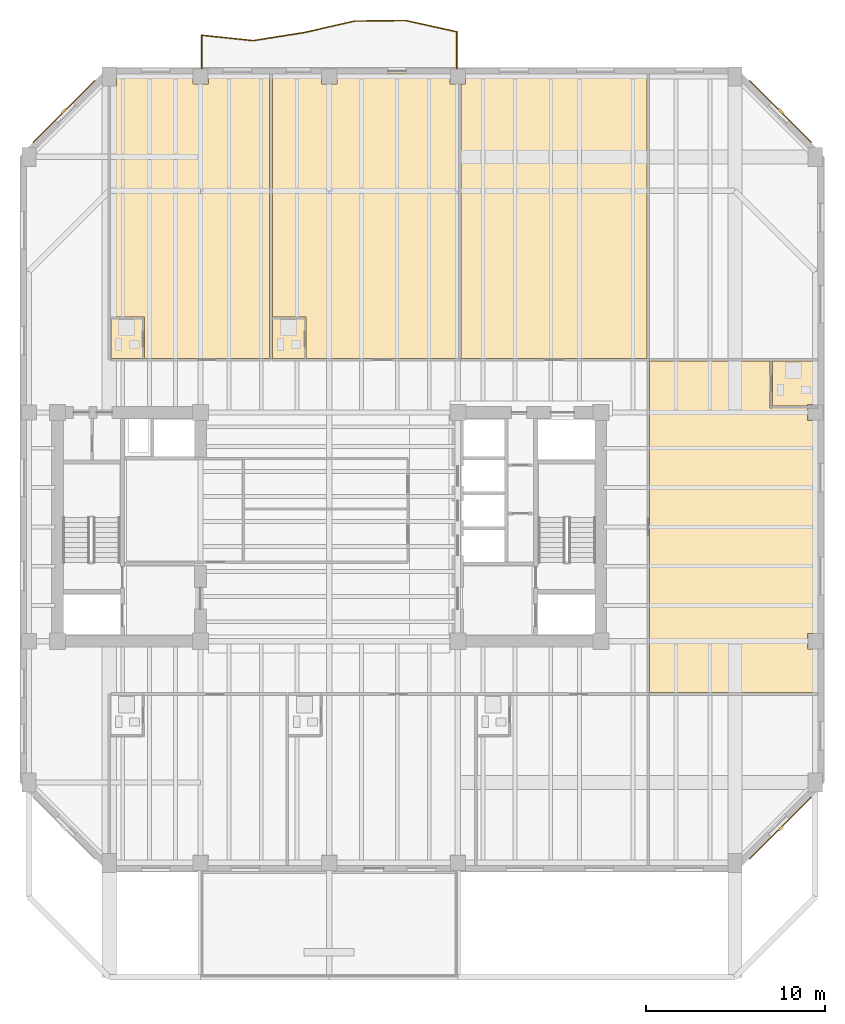
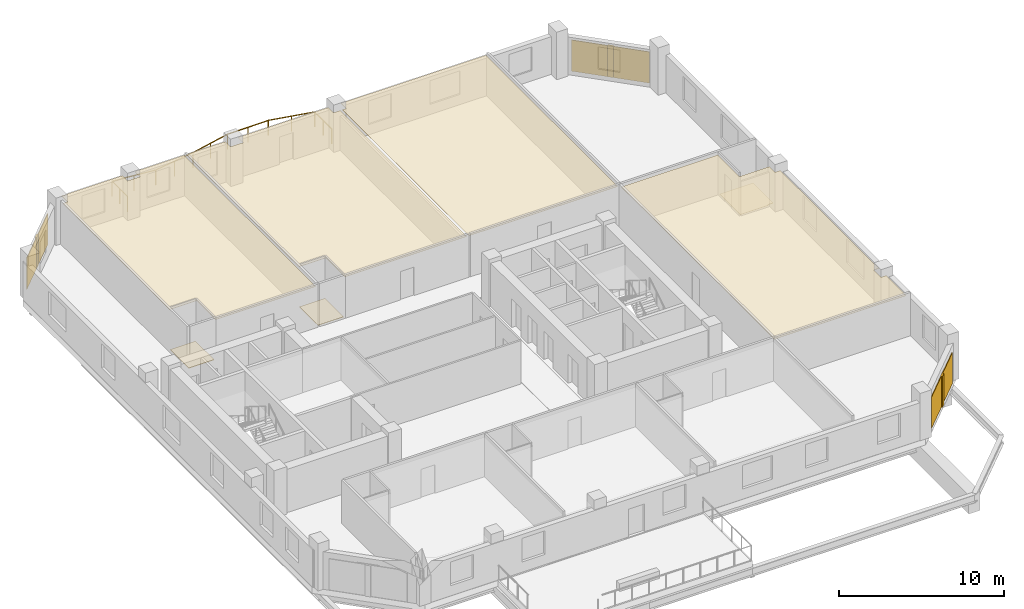
# One storey, part 9 of 10: 10 coverings, 3 shading devices, 1 railing.
"""IFC4 building model written with IfcOpenShell, lengths in metres."""

from ifc_helpers import new_model, si_unit, direction, frame, origin, origin_2d, place, context, subcontext, project, spatial, polyline, rectangle, circle, outline, extrude, material, layer, layer_set, type_object, element, save


model = new_model("IFC4")

# Units and contexts
model_context = context("Model", 3, precision=1e-05, world=origin(), true_north=direction((0.0, 1.0)))
body_context = subcontext(model_context, "Body", "Model", "MODEL_VIEW")
ifc_project = project(units=[si_unit("LENGTHUNIT", "METRE"), si_unit("AREAUNIT", "SQUARE_METRE"), si_unit("VOLUMEUNIT", "CUBIC_METRE"), si_unit("PLANEANGLEUNIT", "RADIAN"), si_unit("MASSUNIT", "GRAM", prefix="KILO")], contexts=[model_context])

# Site, building, storey
site_placement = place(None, origin())
site = spatial("IfcSite", under=ifc_project, at=site_placement, CompositionType="ELEMENT")
building_placement = place(site_placement, origin())
building = spatial("IfcBuilding", under=site, at=building_placement, Name="Kranthara Brick Stack", CompositionType="ELEMENT")
storey_placement = place(building_placement, frame((0.0, 0.0, 162.300048828125)))
storey = spatial("IfcBuildingStorey", under=building, at=storey_placement, Name="L41", CompositionType="ELEMENT", Elevation=162.300048828125)

# Coverings
ifc_material_1 = material(Name="Perforated mineral-fibre acoustic ceiling tile", Category="other")
ifc_layer_1 = layer(ifc_material_1, 0.02490234375)
ifc_layer_set_1 = layer_set([ifc_layer_1], Name="Perforated mineral-fibre acoustic ceiling tile")
covering_type_1 = type_object("IfcCoveringType", Name="COV-CEIL-ACOUSTIC", PredefinedType="CEILING", material=ifc_layer_set_1)
covering_1_placement = place(storey_placement, frame((0.0, 0.0, 2.929931640625)))
element("IfcCovering", 1, at=covering_1_placement, inside=storey, type_object=covering_type_1, Name="L41 Room L41-04 Corner Junior Suite Acoustic Ceiling", PredefinedType="CEILING", context=body_context, shape_type="SweptSolid", body=[
    extrude(outline(polyline([(24.6650390625, 36.6298828125), (17.659912109375, 36.6298828125), (17.659912109375, 38.93994140625), (15.780029296875, 38.93994140625), (15.780029296875, 51.864990234375), (16.110107421875, 51.864990234375), (16.110107421875, 52.60009765625), (20.364990234375, 52.60009765625), (20.364990234375, 51.965087890625), (21.235107421875, 51.965087890625), (21.235107421875, 52.60009765625), (24.6650390625, 52.60009765625), (24.6650390625, 36.6298828125)])), origin(), (0.0, 0.0, 1.0), 0.02490234375),
])
covering_2_placement = place(storey_placement, frame((0.0, 0.0, 2.929931640625)))
element("IfcCovering", 2, at=covering_2_placement, inside=storey, type_object=covering_type_1, Name="L41 Room L41-05 Corner Junior Suite Acoustic Ceiling", PredefinedType="CEILING", context=body_context, shape_type="SweptSolid", body=[
    extrude(outline(polyline([(35.217041015625, 36.6298828125), (26.705078125, 36.6298828125), (26.705078125, 38.93994140625), (24.824951171875, 38.93994140625), (24.824951171875, 52.60009765625), (27.56494140625, 52.60009765625), (27.56494140625, 51.965087890625), (28.43505859375, 51.965087890625), (28.43505859375, 52.60009765625), (34.764892578125, 52.60009765625), (34.764892578125, 51.965087890625), (35.217041015625, 51.965087890625), (35.217041015625, 36.6298828125)])), origin(), (0.0, 0.0, 1.0), 0.02490234375),
])
covering_3_placement = place(storey_placement, frame((0.0, 0.0, 2.929931640625)))
element("IfcCovering", 3, at=covering_3_placement, inside=storey, type_object=covering_type_1, Name="L41 L41 Guest Sky Lounge 6 Acoustic Ceiling", PredefinedType="CEILING", context=body_context, shape_type="SweptSolid", body=[
    extrude(outline(polyline([(45.77001953125, 52.60009765625), (45.77001953125, 36.6298828125), (35.376953125, 36.6298828125), (35.376953125, 51.965087890625), (35.635009765625, 51.965087890625), (35.635009765625, 52.60009765625), (45.77001953125, 52.60009765625)])), origin(), (0.0, 0.0, 1.0), 0.02490234375),
])
covering_4_placement = place(storey_placement, frame((0.0, 0.0, 2.929931640625)))
element("IfcCovering", 4, at=covering_4_placement, inside=storey, type_object=covering_type_1, Name="L41 Room L41-07 Corner Junior Suite Acoustic Ceiling", PredefinedType="CEILING", context=body_context, shape_type="SweptSolid", body=[
    extrude(outline(polyline([(45.919921875, 17.929931640625), (45.919921875, 36.469970703125), (52.669921875, 36.469970703125), (52.669921875, 33.840087890625), (54.764892578125, 33.840087890625), (54.764892578125, 33.1650390625), (55.1298828125, 33.1650390625), (55.1298828125, 21.235107421875), (54.764892578125, 21.235107421875), (54.764892578125, 20.364990234375), (55.1298828125, 20.364990234375), (55.1298828125, 17.929931640625), (45.919921875, 17.929931640625)])), origin(), (0.0, 0.0, 1.0), 0.02490234375),
])
ifc_material_2 = material(Name="Warm buff kiln-fired brick slip rainscreen", Category="masonry")
ifc_layer_2 = layer(ifc_material_2, 0.044921875)
ifc_layer_set_2 = layer_set([ifc_layer_2], Name="Warm buff kiln-fired brick slip rainscreen")
covering_type_2 = type_object("IfcCoveringType", Name="COV-CLAD-BRICK", PredefinedType="CLADDING", material=ifc_layer_set_2)
for number, where, z_axis, x_axis, name in (
    (5, (13.15966796875, 50.4404296875, 0.0498046875), (0.0, 0.0, 1.0), (0.707106781187, 0.707106781187, 0.0), "L41 Chamfer Brick Rainscreen Cladding NW"),
    (6, (53.240478515625, 50.4404296875, 0.0498046875), (0.0, 0.0, 1.0), (0.707106781187, -0.707106781187, 0.0), "L41 Chamfer Brick Rainscreen Cladding NE"),
    (7, (53.240478515625, 10.359619140625, 0.0498046875), (0.0, 0.0, 1.0), (-0.707106781187, -0.707106781187, 0.0), "L41 Chamfer Brick Rainscreen Cladding SE"),
):
    element("IfcCovering", number, at=place(storey_placement, frame(where, z_axis=z_axis, x_axis=x_axis)), inside=storey, type_object=covering_type_2, Name=name, PredefinedType="CLADDING", context=body_context, shape_type="SweptSolid", body=[
        extrude(rectangle(XDim=4.89306640625, YDim=0.044921875, at=origin_2d()), origin(), (0.0, 0.0, 1.0), 2.300048828125),
    ])
ifc_material_3 = material(Name="Honed terrazzo and porcelain floor finish", Category="stone")
ifc_layer_3 = layer(ifc_material_3, 0.030029296875)
ifc_layer_set_3 = layer_set([ifc_layer_3], Name="Honed terrazzo and porcelain floor finish")
covering_type_3 = type_object("IfcCoveringType", Name="COV-FLOR-STONE", PredefinedType="FLOORING", material=ifc_layer_set_3)
covering_5_placement = place(storey_placement, origin())
element("IfcCovering", 8, at=covering_5_placement, inside=storey, type_object=covering_type_3, Name="L41 Wet Room Porcelain Flooring", PredefinedType="FLOORING", context=body_context, shape_type="SweptSolid", body=[
    extrude(outline(polyline([(15.780029296875, 36.6298828125), (15.780029296875, 38.8798828125), (17.56005859375, 38.8798828125), (17.56005859375, 36.6298828125), (15.780029296875, 36.6298828125)])), origin(), (0.0, 0.0, 1.0), 0.030029296875),
])
covering_6_placement = place(storey_placement, origin())
element("IfcCovering", 9, at=covering_6_placement, inside=storey, type_object=covering_type_3, Name="L41 Wet Room Porcelain Flooring", PredefinedType="FLOORING", context=body_context, shape_type="SweptSolid", body=[
    extrude(outline(polyline([(24.824951171875, 36.6298828125), (24.824951171875, 38.8798828125), (26.60498046875, 38.8798828125), (26.60498046875, 36.6298828125), (24.824951171875, 36.6298828125)])), origin(), (0.0, 0.0, 1.0), 0.030029296875),
])
covering_7_placement = place(storey_placement, origin())
element("IfcCovering", 10, at=covering_7_placement, inside=storey, type_object=covering_type_3, Name="L41 Wet Room Porcelain Flooring", PredefinedType="FLOORING", context=body_context, shape_type="SweptSolid", body=[
    extrude(outline(polyline([(52.7900390625, 36.469970703125), (55.1298828125, 36.469970703125), (55.1298828125, 34.034912109375), (54.764892578125, 34.034912109375), (54.764892578125, 33.9599609375), (52.7900390625, 33.9599609375), (52.7900390625, 36.469970703125)])), origin(), (0.0, 0.0, 1.0), 0.030029296875),
])

# Railing
ifc_material_4 = material(Name="Bronze anodised aluminium and laminated glass balustrade", Category="aluminium")
railing_type = type_object("IfcRailingType", Name="RL-BALC-1120", PredefinedType="BALUSTRADE", material=ifc_material_4)
railing_placement = place(storey_placement, frame((20.860107421875, 52.840087890625, 0.0)))
element("IfcRailing", 11, at=railing_placement, inside=storey, type_object=railing_type, Name="L41 North Rippling Balcony Balustrade", PredefinedType="BALUSTRADE", context=body_context, shape_type="SweptSolid", body=[
    extrude(circle(Radius=0.02392578125, at=origin_2d()), frame((0.0, 0.0, 1.09619140625), z_axis=(0.0, 1.0, 0.0), x_axis=(-1.0, 0.0, 0.0)), (0.0, 0.0, 1.0), 1.870361328125),
    extrude(circle(Radius=0.02392578125, at=origin_2d()), frame((0.0, 1.870361328125, 1.09619140625), z_axis=(0.994502680788, -0.104711116441, 0.0), x_axis=(0.104711116441, 0.994502680788, 0.0)), (0.0, 0.0, 1.0), 2.895751953125),
    extrude(circle(Radius=0.02392578125, at=origin_2d()), frame((2.8798828125, 1.567138671875, 1.09619140625), z_axis=(0.987740535092, 0.156104565395, 0.0), x_axis=(-0.156104565395, 0.987740535092, 0.0)), (0.0, 0.0, 1.0), 2.91357421875),
    extrude(circle(Radius=0.02392578125, at=origin_2d()), frame((5.7578125, 2.02197265625, 1.09619140625), z_axis=(0.974630652566, 0.223819326868, 0.0), x_axis=(-0.223819326868, 0.974630652566, 0.0)), (0.0, 0.0, 1.0), 2.845947265625),
    extrude(circle(Radius=0.02392578125, at=origin_2d()), frame((8.531494140625, 2.658935546875, 1.09619140625), z_axis=(0.999918608258, 0.012758403474, 0.0), x_axis=(-0.012758403474, 0.999918608258, 0.0)), (0.0, 0.0, 1.0), 2.870361328125),
    extrude(circle(Radius=0.02392578125, at=origin_2d()), frame((11.401611328125, 2.695556640625, 1.09619140625), z_axis=(0.976588812366, -0.215114600994, 0.0), x_axis=(0.215114600994, 0.976588812366, 0.0)), (0.0, 0.0, 1.0), 2.947509765625),
    extrude(circle(Radius=0.02392578125, at=origin_2d()), frame((14.280029296875, 2.0615234375, 1.09619140625), z_axis=(-0.000118427285, -0.999999992987, 0.0), x_axis=(0.999999992987, -0.000118427285, 0.0)), (0.0, 0.0, 1.0), 2.0615234375),
    extrude(circle(Radius=0.02099609375, at=origin_2d()), origin(), (0.0, 0.0, 1.0), 1.072021484375),
    extrude(circle(Radius=0.02099609375, at=origin_2d()), frame((0.0, 0.93505859375, 0.0)), (0.0, 0.0, 1.0), 1.072021484375),
    extrude(circle(Radius=0.02099609375, at=origin_2d()), frame((0.0, 1.870361328125, 0.0)), (0.0, 0.0, 1.0), 1.072021484375),
    extrude(circle(Radius=0.02099609375, at=origin_2d()), frame((1.43994140625, 1.71875, 0.0)), (0.0, 0.0, 1.0), 1.072021484375),
    extrude(circle(Radius=0.02099609375, at=origin_2d()), frame((2.8798828125, 1.567138671875, 0.0)), (0.0, 0.0, 1.0), 1.072021484375),
    extrude(circle(Radius=0.02099609375, at=origin_2d()), frame((4.31884765625, 1.79443359375, 0.0)), (0.0, 0.0, 1.0), 1.072021484375),
    extrude(circle(Radius=0.02099609375, at=origin_2d()), frame((5.7578125, 2.02197265625, 0.0)), (0.0, 0.0, 1.0), 1.072021484375),
    extrude(circle(Radius=0.02099609375, at=origin_2d()), frame((7.14453125, 2.34033203125, 0.0)), (0.0, 0.0, 1.0), 1.072021484375),
    extrude(circle(Radius=0.02099609375, at=origin_2d()), frame((8.531494140625, 2.658935546875, 0.0)), (0.0, 0.0, 1.0), 1.072021484375),
    extrude(circle(Radius=0.02099609375, at=origin_2d()), frame((9.966552734375, 2.67724609375, 0.0)), (0.0, 0.0, 1.0), 1.072021484375),
    extrude(circle(Radius=0.02099609375, at=origin_2d()), frame((11.401611328125, 2.695556640625, 0.0)), (0.0, 0.0, 1.0), 1.072021484375),
    extrude(circle(Radius=0.02099609375, at=origin_2d()), frame((12.8408203125, 2.37841796875, 0.0)), (0.0, 0.0, 1.0), 1.072021484375),
    extrude(circle(Radius=0.02099609375, at=origin_2d()), frame((14.280029296875, 2.0615234375, 0.0)), (0.0, 0.0, 1.0), 1.072021484375),
    extrude(circle(Radius=0.02099609375, at=origin_2d()), frame((14.27978515625, 1.03076171875, 0.0)), (0.0, 0.0, 1.0), 1.072021484375),
    extrude(circle(Radius=0.02099609375, at=origin_2d()), frame((14.27978515625, 0.0, 0.0)), (0.0, 0.0, 1.0), 1.072021484375),
])

# Shading devices
ifc_material_5 = material(Name="Kiln-fired terracotta aerodynamic wind fin", Category="masonry")
shading_device_type = type_object("IfcShadingDeviceType", Name="SHD-BAFFLE-CORNER", PredefinedType="SHUTTER", material=ifc_material_5)
for number, where, z_axis, x_axis, name in (
    (12, (13.138427734375, 50.461669921875, 0.0498046875), (0.0, 0.0, 1.0), (0.707106781187, 0.707106781187, 0.0), "L41 Chamfer Wind-Baffle Fin NW"),
    (13, (53.26171875, 50.461669921875, 0.0498046875), (0.0, 0.0, 1.0), (0.707106781187, -0.707106781187, 0.0), "L41 Chamfer Wind-Baffle Fin NE"),
    (14, (53.26171875, 10.33837890625, 0.0498046875), (0.0, 0.0, 1.0), (-0.707106781187, -0.707106781187, 0.0), "L41 Chamfer Wind-Baffle Fin SE"),
):
    element("IfcShadingDevice", number, at=place(storey_placement, frame(where, z_axis=z_axis, x_axis=x_axis)), inside=storey, type_object=shading_device_type, Name=name, PredefinedType="SHUTTER", context=body_context, shape_type="SweptSolid", body=[
        extrude(rectangle(XDim=0.35009765625, YDim=0.1201171875, at=origin_2d()), origin(), (0.0, 0.0, 1.0), 2.300048828125),
    ])

save(model, "model.ifc")
